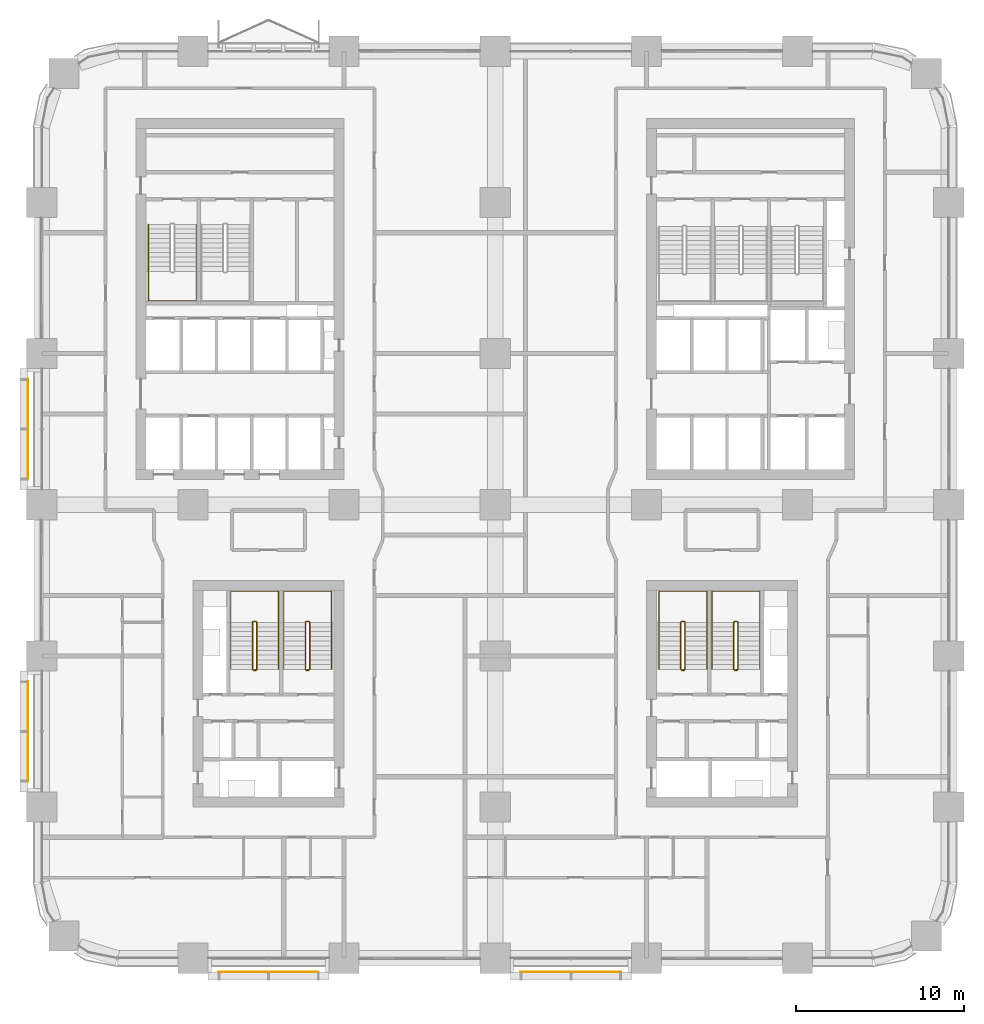
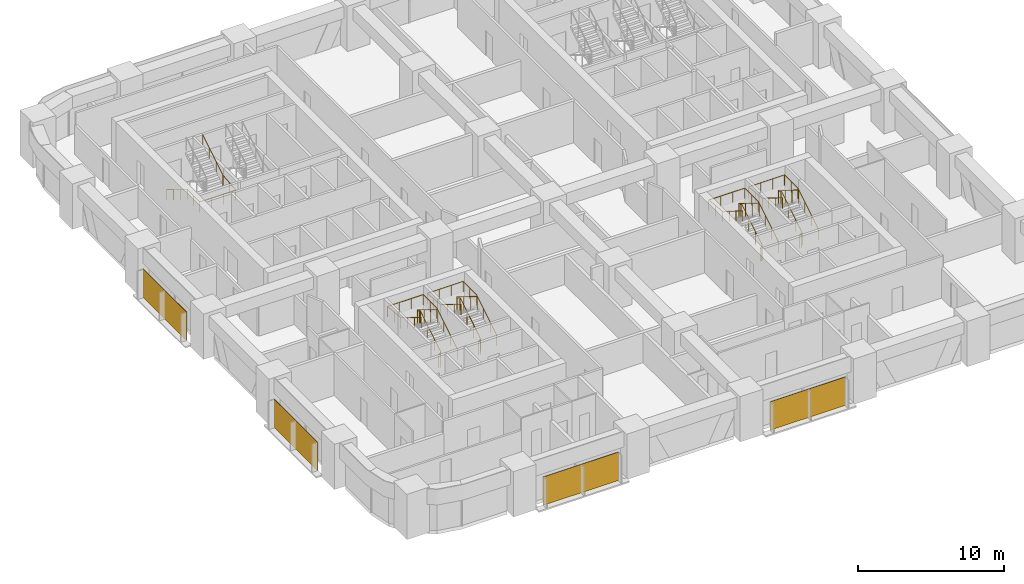
# One storey, part 21 of 23: 9 railings, 4 coverings.
"""IFC4 building model written with IfcOpenShell, lengths in metres."""

from ifc_helpers import new_model, si_unit, direction, frame, origin, origin_2d, place, context, subcontext, project, spatial, rectangle, circle, extrude, material, layer, layer_set, type_object, element, save


model = new_model("IFC4")

# Units and contexts
model_context = context("Model", 3, precision=1e-05, world=origin(), true_north=direction((0.0, 1.0)))
body_context = subcontext(model_context, "Body", "Model", "MODEL_VIEW")
ifc_project = project(units=[si_unit("LENGTHUNIT", "METRE"), si_unit("AREAUNIT", "SQUARE_METRE"), si_unit("VOLUMEUNIT", "CUBIC_METRE"), si_unit("PLANEANGLEUNIT", "RADIAN"), si_unit("MASSUNIT", "GRAM", prefix="KILO")], contexts=[model_context])

# Site, building, storey
site_placement = place(None, origin())
site = spatial("IfcSite", under=ifc_project, at=site_placement, CompositionType="ELEMENT")
building_placement = place(site_placement, origin())
building = spatial("IfcBuilding", under=site, at=building_placement, Name="Tessera Arch", CompositionType="ELEMENT")
storey_placement = place(building_placement, frame((0.0, 0.0, 57.60009765625)))
storey = spatial("IfcBuildingStorey", under=building, at=storey_placement, Name="L12", CompositionType="ELEMENT", Elevation=57.60009765625)

# Coverings
ifc_material_1 = material(Name="Anodised aluminium pale metal", Category="aluminium")
ifc_layer = layer(ifc_material_1, 0.0400390625)
ifc_layer_set = layer_set([ifc_layer], Name="Mashrabiya screen panel")
covering_type = type_object("IfcCoveringType", Name="Mashrabiya screen panel", PredefinedType="CLADDING", material=ifc_layer_set)
for number, where, z_axis, x_axis, name in (
    (1, (13.5, -0.830078125, 0.119873046875), (0.0, 0.0, 1.0), (1.0, 0.0, 0.0), "SCREEN mashrabiya S0.0/0"),
    (2, (31.5, -0.830078125, 0.119873046875), (0.0, 0.0, 1.0), (1.0, 0.0, 0.0), "SCREEN mashrabiya S0.0/2"),
    (3, (-0.830078125, 31.5, 0.119873046875), (0.0, 0.0, 1.0), (0.0, -1.0, 0.0), "SCREEN mashrabiya W0.0/2"),
    (4, (-0.830078125, 13.5, 0.119873046875), (0.0, 0.0, 1.0), (0.0, -1.0, 0.0), "SCREEN mashrabiya W0.0/4"),
):
    element("IfcCovering", number, at=place(storey_placement, frame(where, z_axis=z_axis, x_axis=x_axis)), inside=storey, type_object=covering_type, Name=name, PredefinedType="CLADDING", context=body_context, shape_type="SweptSolid", body=[
        extrude(rectangle(XDim=6.0, YDim=0.0400390625, at=origin_2d()), origin(), (0.0, 0.0, 1.0), 2.3798828125),
    ])

# Railings
ifc_material_2 = material(Name="Painted steel balustrade", Category="steel")
railing_type_1 = type_object("IfcRailingType", Name="Stair guard 1100", PredefinedType="GUARDRAIL", material=ifc_material_2)
railing_1_placement = place(storey_placement, frame((38.25, 17.14990234375, 0.0)))
element("IfcRailing", 5, at=railing_1_placement, inside=storey, type_object=railing_type_1, Name="L12 S3a stair guard 1", PredefinedType="GUARDRAIL", context=body_context, shape_type="SweptSolid", body=[
    extrude(circle(Radius=0.02392578125, at=origin_2d()), frame((0.00390625, 0.0, 1.076171875), z_axis=(-1.0, 0.0, 0.0), x_axis=(0.0, -1.0, 0.0)), (0.0, 0.0, 1.0), 0.157958984375),
    extrude(circle(Radius=0.02392578125, at=origin_2d()), frame((-0.15283203125, -0.000732421875, 1.073486328125), z_axis=(0.743736083135, 0.18616104645, 0.642028584587), x_axis=(-0.242814311512, 0.970072785993, 0.0)), (0.0, 0.0, 1.0), 0.27685546875),
    extrude(circle(Radius=0.02392578125, at=origin_2d()), frame((0.050048828125, 0.046630859375, 1.24658203125), z_axis=(0.0, 0.851089632645, 0.525020415988), x_axis=(-1.0, 0.0, 0.0)), (0.0, 0.0, 1.0), 3.2978515625),
    extrude(circle(Radius=0.02392578125, at=origin_2d()), frame((0.052978515625, 2.84716796875, 2.97607421875), z_axis=(-0.707106781187, 0.707106781187, 0.0), x_axis=(-0.707106781187, -0.707106781187, 0.0)), (0.0, 0.0, 1.0), 0.078857421875),
    extrude(circle(Radius=0.02392578125, at=origin_2d()), frame((0.00390625, 2.900146484375, 2.97607421875), z_axis=(-1.0, 0.0, 0.0), x_axis=(0.0, -1.0, 0.0)), (0.0, 0.0, 1.0), 0.157958984375),
    extrude(circle(Radius=0.02392578125, at=origin_2d()), frame((-0.14892578125, 2.901123046875, 2.97216796875), z_axis=(-0.268277960024, -0.268277960024, 0.925231793839), x_axis=(0.707106781187, -0.707106781187, 0.0)), (0.0, 0.0, 1.0), 0.194580078125),
    extrude(circle(Radius=0.02392578125, at=origin_2d()), frame((-0.199951171875, 2.853515625, 3.146484375), z_axis=(0.0, -0.851089632645, 0.525020415988), x_axis=(1.0, 0.0, 0.0)), (0.0, 0.0, 1.0), 3.2978515625),
    extrude(circle(Radius=0.02099609375, at=origin_2d()), origin(), (0.0, 0.0, 1.0), 1.06396484375),
    extrude(circle(Radius=0.02099609375, at=origin_2d()), frame((-0.14990234375, 0.0, 0.0)), (0.0, 0.0, 1.0), 1.06396484375),
    extrude(circle(Radius=0.02099609375, at=origin_2d()), frame((0.050048828125, 0.050048828125, 0.172607421875)), (0.0, 0.0, 1.0), 1.06396484375),
    extrude(circle(Radius=0.02099609375, at=origin_2d()), frame((0.050048828125, 0.9833984375, 0.748291015625)), (0.0, 0.0, 1.0), 1.06396484375),
    extrude(circle(Radius=0.02099609375, at=origin_2d()), frame((0.050048828125, 1.916748046875, 1.32421875)), (0.0, 0.0, 1.0), 1.06396484375),
    extrude(circle(Radius=0.02099609375, at=origin_2d()), frame((0.050048828125, 2.85009765625, 1.89990234375)), (0.0, 0.0, 1.0), 1.06396484375),
    extrude(circle(Radius=0.02099609375, at=origin_2d()), frame((0.0, 2.900146484375, 1.89990234375)), (0.0, 0.0, 1.0), 1.06396484375),
    extrude(circle(Radius=0.02099609375, at=origin_2d()), frame((-0.14990234375, 2.900146484375, 1.89990234375)), (0.0, 0.0, 1.0), 1.06396484375),
    extrude(circle(Radius=0.02099609375, at=origin_2d()), frame((-0.199951171875, 2.85009765625, 2.072509765625)), (0.0, 0.0, 1.0), 1.06396484375),
    extrude(circle(Radius=0.02099609375, at=origin_2d()), frame((-0.199951171875, 1.916748046875, 2.648193359375)), (0.0, 0.0, 1.0), 1.06396484375),
    extrude(circle(Radius=0.02099609375, at=origin_2d()), frame((-0.199951171875, 0.9833984375, 3.22412109375)), (0.0, 0.0, 1.0), 1.06396484375),
    extrude(circle(Radius=0.02099609375, at=origin_2d()), frame((-0.199951171875, 0.050048828125, 3.7998046875)), (0.0, 0.0, 1.0), 1.06396484375),
])
railing_2_placement = place(storey_placement, frame((41.39990234375, 17.14990234375, 0.0)))
element("IfcRailing", 6, at=railing_2_placement, inside=storey, type_object=railing_type_1, Name="L12 S3b stair guard 1", PredefinedType="GUARDRAIL", context=body_context, shape_type="SweptSolid", body=[
    extrude(circle(Radius=0.02392578125, at=origin_2d()), frame((0.00390625, 0.0, 1.076171875), z_axis=(-1.0, 0.0, 0.0), x_axis=(0.0, -1.0, 0.0)), (0.0, 0.0, 1.0), 0.157958984375),
    extrude(circle(Radius=0.02392578125, at=origin_2d()), frame((-0.15283203125, -0.000732421875, 1.073486328125), z_axis=(0.743736083135, 0.18616104645, 0.642028584587), x_axis=(-0.242814311512, 0.970072785993, 0.0)), (0.0, 0.0, 1.0), 0.27685546875),
    extrude(circle(Radius=0.02392578125, at=origin_2d()), frame((0.050048828125, 0.046630859375, 1.24658203125), z_axis=(0.0, 0.851089632645, 0.525020415988), x_axis=(-1.0, 0.0, 0.0)), (0.0, 0.0, 1.0), 3.2978515625),
    extrude(circle(Radius=0.02392578125, at=origin_2d()), frame((0.052978515625, 2.84716796875, 2.97607421875), z_axis=(-0.707106781187, 0.707106781187, 0.0), x_axis=(-0.707106781187, -0.707106781187, 0.0)), (0.0, 0.0, 1.0), 0.078857421875),
    extrude(circle(Radius=0.02392578125, at=origin_2d()), frame((0.00390625, 2.900146484375, 2.97607421875), z_axis=(-1.0, 0.0, 0.0), x_axis=(0.0, -1.0, 0.0)), (0.0, 0.0, 1.0), 0.157958984375),
    extrude(circle(Radius=0.02392578125, at=origin_2d()), frame((-0.14892578125, 2.901123046875, 2.97216796875), z_axis=(-0.268277960024, -0.268277960024, 0.925231793839), x_axis=(0.707106781187, -0.707106781187, 0.0)), (0.0, 0.0, 1.0), 0.194580078125),
    extrude(circle(Radius=0.02392578125, at=origin_2d()), frame((-0.199951171875, 2.853515625, 3.146484375), z_axis=(0.0, -0.851089632645, 0.525020415988), x_axis=(1.0, 0.0, 0.0)), (0.0, 0.0, 1.0), 3.2978515625),
    extrude(circle(Radius=0.02099609375, at=origin_2d()), origin(), (0.0, 0.0, 1.0), 1.06396484375),
    extrude(circle(Radius=0.02099609375, at=origin_2d()), frame((-0.14990234375, 0.0, 0.0)), (0.0, 0.0, 1.0), 1.06396484375),
    extrude(circle(Radius=0.02099609375, at=origin_2d()), frame((0.050048828125, 0.050048828125, 0.172607421875)), (0.0, 0.0, 1.0), 1.06396484375),
    extrude(circle(Radius=0.02099609375, at=origin_2d()), frame((0.050048828125, 0.9833984375, 0.748291015625)), (0.0, 0.0, 1.0), 1.06396484375),
    extrude(circle(Radius=0.02099609375, at=origin_2d()), frame((0.050048828125, 1.916748046875, 1.32421875)), (0.0, 0.0, 1.0), 1.06396484375),
    extrude(circle(Radius=0.02099609375, at=origin_2d()), frame((0.050048828125, 2.85009765625, 1.89990234375)), (0.0, 0.0, 1.0), 1.06396484375),
    extrude(circle(Radius=0.02099609375, at=origin_2d()), frame((0.0, 2.900146484375, 1.89990234375)), (0.0, 0.0, 1.0), 1.06396484375),
    extrude(circle(Radius=0.02099609375, at=origin_2d()), frame((-0.14990234375, 2.900146484375, 1.89990234375)), (0.0, 0.0, 1.0), 1.06396484375),
    extrude(circle(Radius=0.02099609375, at=origin_2d()), frame((-0.199951171875, 2.85009765625, 2.072509765625)), (0.0, 0.0, 1.0), 1.06396484375),
    extrude(circle(Radius=0.02099609375, at=origin_2d()), frame((-0.199951171875, 1.916748046875, 2.648193359375)), (0.0, 0.0, 1.0), 1.06396484375),
    extrude(circle(Radius=0.02099609375, at=origin_2d()), frame((-0.199951171875, 0.9833984375, 3.22412109375)), (0.0, 0.0, 1.0), 1.06396484375),
    extrude(circle(Radius=0.02099609375, at=origin_2d()), frame((-0.199951171875, 0.050048828125, 3.7998046875)), (0.0, 0.0, 1.0), 1.06396484375),
])
railing_3_placement = place(storey_placement, frame((15.89990234375, 17.14990234375, 0.0)))
element("IfcRailing", 7, at=railing_3_placement, inside=storey, type_object=railing_type_1, Name="L12 S4a stair guard 1", PredefinedType="GUARDRAIL", context=body_context, shape_type="SweptSolid", body=[
    extrude(circle(Radius=0.02392578125, at=origin_2d()), frame((0.00390625, 0.0, 1.076171875), z_axis=(-1.0, 0.0, 0.0), x_axis=(0.0, -1.0, 0.0)), (0.0, 0.0, 1.0), 0.157958984375),
    extrude(circle(Radius=0.02392578125, at=origin_2d()), frame((-0.15283203125, -0.000732421875, 1.073486328125), z_axis=(0.743736083135, 0.18616104645, 0.642028584587), x_axis=(-0.242814311512, 0.970072785993, 0.0)), (0.0, 0.0, 1.0), 0.27685546875),
    extrude(circle(Radius=0.02392578125, at=origin_2d()), frame((0.050048828125, 0.046630859375, 1.24658203125), z_axis=(0.0, 0.851089632645, 0.525020415988), x_axis=(-1.0, 0.0, 0.0)), (0.0, 0.0, 1.0), 3.2978515625),
    extrude(circle(Radius=0.02392578125, at=origin_2d()), frame((0.052978515625, 2.84716796875, 2.97607421875), z_axis=(-0.707106781187, 0.707106781187, 0.0), x_axis=(-0.707106781187, -0.707106781187, 0.0)), (0.0, 0.0, 1.0), 0.078857421875),
    extrude(circle(Radius=0.02392578125, at=origin_2d()), frame((0.00390625, 2.900146484375, 2.97607421875), z_axis=(-1.0, 0.0, 0.0), x_axis=(0.0, -1.0, 0.0)), (0.0, 0.0, 1.0), 0.157958984375),
    extrude(circle(Radius=0.02392578125, at=origin_2d()), frame((-0.14892578125, 2.901123046875, 2.97216796875), z_axis=(-0.268277960024, -0.268277960024, 0.925231793839), x_axis=(0.707106781187, -0.707106781187, 0.0)), (0.0, 0.0, 1.0), 0.194580078125),
    extrude(circle(Radius=0.02392578125, at=origin_2d()), frame((-0.199951171875, 2.853515625, 3.146484375), z_axis=(0.0, -0.851089632645, 0.525020415988), x_axis=(1.0, 0.0, 0.0)), (0.0, 0.0, 1.0), 3.2978515625),
    extrude(circle(Radius=0.02099609375, at=origin_2d()), origin(), (0.0, 0.0, 1.0), 1.06396484375),
    extrude(circle(Radius=0.02099609375, at=origin_2d()), frame((-0.14990234375, 0.0, 0.0)), (0.0, 0.0, 1.0), 1.06396484375),
    extrude(circle(Radius=0.02099609375, at=origin_2d()), frame((0.050048828125, 0.050048828125, 0.172607421875)), (0.0, 0.0, 1.0), 1.06396484375),
    extrude(circle(Radius=0.02099609375, at=origin_2d()), frame((0.050048828125, 0.9833984375, 0.748291015625)), (0.0, 0.0, 1.0), 1.06396484375),
    extrude(circle(Radius=0.02099609375, at=origin_2d()), frame((0.050048828125, 1.916748046875, 1.32421875)), (0.0, 0.0, 1.0), 1.06396484375),
    extrude(circle(Radius=0.02099609375, at=origin_2d()), frame((0.050048828125, 2.85009765625, 1.89990234375)), (0.0, 0.0, 1.0), 1.06396484375),
    extrude(circle(Radius=0.02099609375, at=origin_2d()), frame((0.0, 2.900146484375, 1.89990234375)), (0.0, 0.0, 1.0), 1.06396484375),
    extrude(circle(Radius=0.02099609375, at=origin_2d()), frame((-0.14990234375, 2.900146484375, 1.89990234375)), (0.0, 0.0, 1.0), 1.06396484375),
    extrude(circle(Radius=0.02099609375, at=origin_2d()), frame((-0.199951171875, 2.85009765625, 2.072509765625)), (0.0, 0.0, 1.0), 1.06396484375),
    extrude(circle(Radius=0.02099609375, at=origin_2d()), frame((-0.199951171875, 1.916748046875, 2.648193359375)), (0.0, 0.0, 1.0), 1.06396484375),
    extrude(circle(Radius=0.02099609375, at=origin_2d()), frame((-0.199951171875, 0.9833984375, 3.22412109375)), (0.0, 0.0, 1.0), 1.06396484375),
    extrude(circle(Radius=0.02099609375, at=origin_2d()), frame((-0.199951171875, 0.050048828125, 3.7998046875)), (0.0, 0.0, 1.0), 1.06396484375),
])
railing_4_placement = place(storey_placement, frame((12.75, 17.14990234375, 0.0)))
element("IfcRailing", 8, at=railing_4_placement, inside=storey, type_object=railing_type_1, Name="L12 S4b stair guard 1", PredefinedType="GUARDRAIL", context=body_context, shape_type="SweptSolid", body=[
    extrude(circle(Radius=0.02392578125, at=origin_2d()), frame((0.00390625, 0.0, 1.076171875), z_axis=(-1.0, 0.0, 0.0), x_axis=(0.0, -1.0, 0.0)), (0.0, 0.0, 1.0), 0.157958984375),
    extrude(circle(Radius=0.02392578125, at=origin_2d()), frame((-0.15283203125, -0.000732421875, 1.073486328125), z_axis=(0.743736083135, 0.18616104645, 0.642028584587), x_axis=(-0.242814311512, 0.970072785993, 0.0)), (0.0, 0.0, 1.0), 0.27685546875),
    extrude(circle(Radius=0.02392578125, at=origin_2d()), frame((0.050048828125, 0.046630859375, 1.24658203125), z_axis=(0.0, 0.851089632645, 0.525020415988), x_axis=(-1.0, 0.0, 0.0)), (0.0, 0.0, 1.0), 3.2978515625),
    extrude(circle(Radius=0.02392578125, at=origin_2d()), frame((0.052978515625, 2.84716796875, 2.97607421875), z_axis=(-0.707106781187, 0.707106781187, 0.0), x_axis=(-0.707106781187, -0.707106781187, 0.0)), (0.0, 0.0, 1.0), 0.078857421875),
    extrude(circle(Radius=0.02392578125, at=origin_2d()), frame((0.00390625, 2.900146484375, 2.97607421875), z_axis=(-1.0, 0.0, 0.0), x_axis=(0.0, -1.0, 0.0)), (0.0, 0.0, 1.0), 0.157958984375),
    extrude(circle(Radius=0.02392578125, at=origin_2d()), frame((-0.14892578125, 2.901123046875, 2.97216796875), z_axis=(-0.268277960024, -0.268277960024, 0.925231793839), x_axis=(0.707106781187, -0.707106781187, 0.0)), (0.0, 0.0, 1.0), 0.194580078125),
    extrude(circle(Radius=0.02392578125, at=origin_2d()), frame((-0.199951171875, 2.853515625, 3.146484375), z_axis=(0.0, -0.851089632645, 0.525020415988), x_axis=(1.0, 0.0, 0.0)), (0.0, 0.0, 1.0), 3.2978515625),
    extrude(circle(Radius=0.02099609375, at=origin_2d()), origin(), (0.0, 0.0, 1.0), 1.06396484375),
    extrude(circle(Radius=0.02099609375, at=origin_2d()), frame((-0.14990234375, 0.0, 0.0)), (0.0, 0.0, 1.0), 1.06396484375),
    extrude(circle(Radius=0.02099609375, at=origin_2d()), frame((0.050048828125, 0.050048828125, 0.172607421875)), (0.0, 0.0, 1.0), 1.06396484375),
    extrude(circle(Radius=0.02099609375, at=origin_2d()), frame((0.050048828125, 0.9833984375, 0.748291015625)), (0.0, 0.0, 1.0), 1.06396484375),
    extrude(circle(Radius=0.02099609375, at=origin_2d()), frame((0.050048828125, 1.916748046875, 1.32421875)), (0.0, 0.0, 1.0), 1.06396484375),
    extrude(circle(Radius=0.02099609375, at=origin_2d()), frame((0.050048828125, 2.85009765625, 1.89990234375)), (0.0, 0.0, 1.0), 1.06396484375),
    extrude(circle(Radius=0.02099609375, at=origin_2d()), frame((0.0, 2.900146484375, 1.89990234375)), (0.0, 0.0, 1.0), 1.06396484375),
    extrude(circle(Radius=0.02099609375, at=origin_2d()), frame((-0.14990234375, 2.900146484375, 1.89990234375)), (0.0, 0.0, 1.0), 1.06396484375),
    extrude(circle(Radius=0.02099609375, at=origin_2d()), frame((-0.199951171875, 2.85009765625, 2.072509765625)), (0.0, 0.0, 1.0), 1.06396484375),
    extrude(circle(Radius=0.02099609375, at=origin_2d()), frame((-0.199951171875, 1.916748046875, 2.648193359375)), (0.0, 0.0, 1.0), 1.06396484375),
    extrude(circle(Radius=0.02099609375, at=origin_2d()), frame((-0.199951171875, 0.9833984375, 3.22412109375)), (0.0, 0.0, 1.0), 1.06396484375),
    extrude(circle(Radius=0.02099609375, at=origin_2d()), frame((-0.199951171875, 0.050048828125, 3.7998046875)), (0.0, 0.0, 1.0), 1.06396484375),
])
ifc_material_3 = material(Name="Painted steel handrail", Category="steel")
railing_type_2 = type_object("IfcRailingType", Name="Stair handrail 900", PredefinedType="HANDRAIL", material=ifc_material_3)
railing_5_placement = place(storey_placement, frame((6.35009765625, 43.699951171875, 0.172607421875)))
element("IfcRailing", 9, at=railing_5_placement, inside=storey, type_object=railing_type_2, Name="L12 S2a stair handrail", PredefinedType="HANDRAIL", context=body_context, shape_type="SweptSolid", body=[
    extrude(circle(Radius=0.02392578125, at=origin_2d()), frame((0.0, 0.00341796875, 0.873779296875), z_axis=(0.0, -0.851089632645, 0.525020415988), x_axis=(1.0, 0.0, 0.0)), (0.0, 0.0, 1.0), 3.2978515625),
    extrude(circle(Radius=0.02392578125, at=origin_2d()), frame((0.0, -2.796142578125, 2.60302734375), z_axis=(0.0, -1.0, 0.0), x_axis=(1.0, 0.0, 0.0)), (0.0, 0.0, 1.0), 1.758056640625),
    extrude(circle(Radius=0.02392578125, at=origin_2d()), frame((-0.00390625, -4.550048828125, 2.60302734375), z_axis=(1.0, 0.0, 0.0), x_axis=(0.0, 1.0, 0.0)), (0.0, 0.0, 1.0), 2.85791015625),
    extrude(circle(Radius=0.02392578125, at=origin_2d()), frame((2.849853515625, -4.553955078125, 2.602783203125), z_axis=(0.0, 0.995170989745, 0.098156513637), x_axis=(-1.0, 0.0, 0.0)), (0.0, 0.0, 1.0), 1.7666015625),
    extrude(circle(Radius=0.02392578125, at=origin_2d()), frame((2.849853515625, -2.803466796875, 2.773681640625), z_axis=(0.0, 0.851089632645, 0.525020415988), x_axis=(-1.0, 0.0, 0.0)), (0.0, 0.0, 1.0), 3.2978515625),
    extrude(circle(Radius=0.02099609375, at=origin_2d()), origin(), (0.0, 0.0, 1.0), 0.86376953125),
    extrude(circle(Radius=0.02099609375, at=origin_2d()), frame((0.0, -0.933349609375, 0.57568359375)), (0.0, 0.0, 1.0), 0.86376953125),
    extrude(circle(Radius=0.02099609375, at=origin_2d()), frame((0.0, -1.86669921875, 1.151611328125)), (0.0, 0.0, 1.0), 0.86376953125),
    extrude(circle(Radius=0.02099609375, at=origin_2d()), frame((0.0, -2.800048828125, 1.727294921875)), (0.0, 0.0, 1.0), 0.86376953125),
    extrude(circle(Radius=0.02099609375, at=origin_2d()), frame((0.0, -3.675048828125, 1.727294921875)), (0.0, 0.0, 1.0), 0.86376953125),
    extrude(circle(Radius=0.02099609375, at=origin_2d()), frame((0.0, -4.550048828125, 1.727294921875)), (0.0, 0.0, 1.0), 0.86376953125),
    extrude(circle(Radius=0.02099609375, at=origin_2d()), frame((0.949951171875, -4.550048828125, 1.727294921875)), (0.0, 0.0, 1.0), 0.86376953125),
    extrude(circle(Radius=0.02099609375, at=origin_2d()), frame((1.89990234375, -4.550048828125, 1.727294921875)), (0.0, 0.0, 1.0), 0.86376953125),
    extrude(circle(Radius=0.02099609375, at=origin_2d()), frame((2.849853515625, -4.550048828125, 1.727294921875)), (0.0, 0.0, 1.0), 0.86376953125),
    extrude(circle(Radius=0.02099609375, at=origin_2d()), frame((2.849853515625, -3.675048828125, 1.8134765625)), (0.0, 0.0, 1.0), 0.86376953125),
    extrude(circle(Radius=0.02099609375, at=origin_2d()), frame((2.849853515625, -2.800048828125, 1.89990234375)), (0.0, 0.0, 1.0), 0.86376953125),
    extrude(circle(Radius=0.02099609375, at=origin_2d()), frame((2.849853515625, -1.86669921875, 2.4755859375)), (0.0, 0.0, 1.0), 0.86376953125),
    extrude(circle(Radius=0.02099609375, at=origin_2d()), frame((2.849853515625, -0.933349609375, 3.051513671875)), (0.0, 0.0, 1.0), 0.86376953125),
    extrude(circle(Radius=0.02099609375, at=origin_2d()), frame((2.849853515625, 0.0, 3.627197265625)), (0.0, 0.0, 1.0), 0.86376953125),
])
railing_6_placement = place(storey_placement, frame((39.60009765625, 17.199951171875, 0.172607421875)))
element("IfcRailing", 10, at=railing_6_placement, inside=storey, type_object=railing_type_2, Name="L12 S3a stair handrail", PredefinedType="HANDRAIL", context=body_context, shape_type="SweptSolid", body=[
    extrude(circle(Radius=0.02392578125, at=origin_2d()), frame((0.0, -0.00341796875, 0.873779296875), z_axis=(0.0, 0.851089632645, 0.525020415988), x_axis=(-1.0, 0.0, 0.0)), (0.0, 0.0, 1.0), 3.2978515625),
    extrude(circle(Radius=0.02392578125, at=origin_2d()), frame((0.0, 2.796142578125, 2.60302734375), z_axis=(0.0, 1.0, 0.0), x_axis=(-1.0, 0.0, 0.0)), (0.0, 0.0, 1.0), 1.858154296875),
    extrude(circle(Radius=0.02392578125, at=origin_2d()), frame((0.00390625, 4.650146484375, 2.60302734375), z_axis=(-1.0, 0.0, 0.0), x_axis=(0.0, -1.0, 0.0)), (0.0, 0.0, 1.0), 2.858154296875),
    extrude(circle(Radius=0.02392578125, at=origin_2d()), frame((-2.85009765625, 4.654052734375, 2.602783203125), z_axis=(0.0, -0.995676099079, 0.092892979948), x_axis=(1.0, 0.0, 0.0)), (0.0, 0.0, 1.0), 1.8662109375),
    extrude(circle(Radius=0.02392578125, at=origin_2d()), frame((-2.85009765625, 2.803466796875, 2.773681640625), z_axis=(0.0, -0.851089632645, 0.525020415988), x_axis=(1.0, 0.0, 0.0)), (0.0, 0.0, 1.0), 3.2978515625),
    extrude(circle(Radius=0.02099609375, at=origin_2d()), origin(), (0.0, 0.0, 1.0), 0.86376953125),
    extrude(circle(Radius=0.02099609375, at=origin_2d()), frame((0.0, 0.933349609375, 0.57568359375)), (0.0, 0.0, 1.0), 0.86376953125),
    extrude(circle(Radius=0.02099609375, at=origin_2d()), frame((0.0, 1.86669921875, 1.151611328125)), (0.0, 0.0, 1.0), 0.86376953125),
    extrude(circle(Radius=0.02099609375, at=origin_2d()), frame((0.0, 2.800048828125, 1.727294921875)), (0.0, 0.0, 1.0), 0.86376953125),
    extrude(circle(Radius=0.02099609375, at=origin_2d()), frame((0.0, 3.72509765625, 1.727294921875)), (0.0, 0.0, 1.0), 0.86376953125),
    extrude(circle(Radius=0.02099609375, at=origin_2d()), frame((0.0, 4.650146484375, 1.727294921875)), (0.0, 0.0, 1.0), 0.86376953125),
    extrude(circle(Radius=0.02099609375, at=origin_2d()), frame((-0.949951171875, 4.650146484375, 1.727294921875)), (0.0, 0.0, 1.0), 0.86376953125),
    extrude(circle(Radius=0.02099609375, at=origin_2d()), frame((-1.900146484375, 4.650146484375, 1.727294921875)), (0.0, 0.0, 1.0), 0.86376953125),
    extrude(circle(Radius=0.02099609375, at=origin_2d()), frame((-2.85009765625, 4.650146484375, 1.727294921875)), (0.0, 0.0, 1.0), 0.86376953125),
    extrude(circle(Radius=0.02099609375, at=origin_2d()), frame((-2.85009765625, 3.72509765625, 1.8134765625)), (0.0, 0.0, 1.0), 0.86376953125),
    extrude(circle(Radius=0.02099609375, at=origin_2d()), frame((-2.85009765625, 2.800048828125, 1.89990234375)), (0.0, 0.0, 1.0), 0.86376953125),
    extrude(circle(Radius=0.02099609375, at=origin_2d()), frame((-2.85009765625, 1.86669921875, 2.4755859375)), (0.0, 0.0, 1.0), 0.86376953125),
    extrude(circle(Radius=0.02099609375, at=origin_2d()), frame((-2.85009765625, 0.933349609375, 3.051513671875)), (0.0, 0.0, 1.0), 0.86376953125),
    extrude(circle(Radius=0.02099609375, at=origin_2d()), frame((-2.85009765625, 0.0, 3.627197265625)), (0.0, 0.0, 1.0), 0.86376953125),
])
railing_7_placement = place(storey_placement, frame((42.75, 17.199951171875, 0.172607421875)))
element("IfcRailing", 11, at=railing_7_placement, inside=storey, type_object=railing_type_2, Name="L12 S3b stair handrail", PredefinedType="HANDRAIL", context=body_context, shape_type="SweptSolid", body=[
    extrude(circle(Radius=0.02392578125, at=origin_2d()), frame((0.0, -0.00341796875, 0.873779296875), z_axis=(0.0, 0.851089632645, 0.525020415988), x_axis=(-1.0, 0.0, 0.0)), (0.0, 0.0, 1.0), 3.2978515625),
    extrude(circle(Radius=0.02392578125, at=origin_2d()), frame((0.0, 2.796142578125, 2.60302734375), z_axis=(0.0, 1.0, 0.0), x_axis=(-1.0, 0.0, 0.0)), (0.0, 0.0, 1.0), 1.858154296875),
    extrude(circle(Radius=0.02392578125, at=origin_2d()), frame((0.00390625, 4.650146484375, 2.60302734375), z_axis=(-1.0, 0.0, 0.0), x_axis=(0.0, -1.0, 0.0)), (0.0, 0.0, 1.0), 2.858154296875),
    extrude(circle(Radius=0.02392578125, at=origin_2d()), frame((-2.85009765625, 4.654052734375, 2.602783203125), z_axis=(0.0, -0.995676099079, 0.092892979948), x_axis=(1.0, 0.0, 0.0)), (0.0, 0.0, 1.0), 1.8662109375),
    extrude(circle(Radius=0.02392578125, at=origin_2d()), frame((-2.85009765625, 2.803466796875, 2.773681640625), z_axis=(0.0, -0.851089632645, 0.525020415988), x_axis=(1.0, 0.0, 0.0)), (0.0, 0.0, 1.0), 3.2978515625),
    extrude(circle(Radius=0.02099609375, at=origin_2d()), origin(), (0.0, 0.0, 1.0), 0.86376953125),
    extrude(circle(Radius=0.02099609375, at=origin_2d()), frame((0.0, 0.933349609375, 0.57568359375)), (0.0, 0.0, 1.0), 0.86376953125),
    extrude(circle(Radius=0.02099609375, at=origin_2d()), frame((0.0, 1.86669921875, 1.151611328125)), (0.0, 0.0, 1.0), 0.86376953125),
    extrude(circle(Radius=0.02099609375, at=origin_2d()), frame((0.0, 2.800048828125, 1.727294921875)), (0.0, 0.0, 1.0), 0.86376953125),
    extrude(circle(Radius=0.02099609375, at=origin_2d()), frame((0.0, 3.72509765625, 1.727294921875)), (0.0, 0.0, 1.0), 0.86376953125),
    extrude(circle(Radius=0.02099609375, at=origin_2d()), frame((0.0, 4.650146484375, 1.727294921875)), (0.0, 0.0, 1.0), 0.86376953125),
    extrude(circle(Radius=0.02099609375, at=origin_2d()), frame((-0.949951171875, 4.650146484375, 1.727294921875)), (0.0, 0.0, 1.0), 0.86376953125),
    extrude(circle(Radius=0.02099609375, at=origin_2d()), frame((-1.900146484375, 4.650146484375, 1.727294921875)), (0.0, 0.0, 1.0), 0.86376953125),
    extrude(circle(Radius=0.02099609375, at=origin_2d()), frame((-2.85009765625, 4.650146484375, 1.727294921875)), (0.0, 0.0, 1.0), 0.86376953125),
    extrude(circle(Radius=0.02099609375, at=origin_2d()), frame((-2.85009765625, 3.72509765625, 1.8134765625)), (0.0, 0.0, 1.0), 0.86376953125),
    extrude(circle(Radius=0.02099609375, at=origin_2d()), frame((-2.85009765625, 2.800048828125, 1.89990234375)), (0.0, 0.0, 1.0), 0.86376953125),
    extrude(circle(Radius=0.02099609375, at=origin_2d()), frame((-2.85009765625, 1.86669921875, 2.4755859375)), (0.0, 0.0, 1.0), 0.86376953125),
    extrude(circle(Radius=0.02099609375, at=origin_2d()), frame((-2.85009765625, 0.933349609375, 3.051513671875)), (0.0, 0.0, 1.0), 0.86376953125),
    extrude(circle(Radius=0.02099609375, at=origin_2d()), frame((-2.85009765625, 0.0, 3.627197265625)), (0.0, 0.0, 1.0), 0.86376953125),
])
railing_8_placement = place(storey_placement, frame((17.25, 17.199951171875, 0.172607421875)))
element("IfcRailing", 12, at=railing_8_placement, inside=storey, type_object=railing_type_2, Name="L12 S4a stair handrail", PredefinedType="HANDRAIL", context=body_context, shape_type="SweptSolid", body=[
    extrude(circle(Radius=0.02392578125, at=origin_2d()), frame((0.0, -0.00341796875, 0.873779296875), z_axis=(0.0, 0.851089632645, 0.525020415988), x_axis=(-1.0, 0.0, 0.0)), (0.0, 0.0, 1.0), 3.2978515625),
    extrude(circle(Radius=0.02392578125, at=origin_2d()), frame((0.0, 2.796142578125, 2.60302734375), z_axis=(0.0, 1.0, 0.0), x_axis=(-1.0, 0.0, 0.0)), (0.0, 0.0, 1.0), 1.858154296875),
    extrude(circle(Radius=0.02392578125, at=origin_2d()), frame((0.00390625, 4.650146484375, 2.60302734375), z_axis=(-1.0, 0.0, 0.0), x_axis=(0.0, -1.0, 0.0)), (0.0, 0.0, 1.0), 2.858154296875),
    extrude(circle(Radius=0.02392578125, at=origin_2d()), frame((-2.85009765625, 4.654052734375, 2.602783203125), z_axis=(0.0, -0.995676099079, 0.092892979948), x_axis=(1.0, 0.0, 0.0)), (0.0, 0.0, 1.0), 1.8662109375),
    extrude(circle(Radius=0.02392578125, at=origin_2d()), frame((-2.85009765625, 2.803466796875, 2.773681640625), z_axis=(0.0, -0.851089632645, 0.525020415988), x_axis=(1.0, 0.0, 0.0)), (0.0, 0.0, 1.0), 3.2978515625),
    extrude(circle(Radius=0.02099609375, at=origin_2d()), origin(), (0.0, 0.0, 1.0), 0.86376953125),
    extrude(circle(Radius=0.02099609375, at=origin_2d()), frame((0.0, 0.933349609375, 0.57568359375)), (0.0, 0.0, 1.0), 0.86376953125),
    extrude(circle(Radius=0.02099609375, at=origin_2d()), frame((0.0, 1.86669921875, 1.151611328125)), (0.0, 0.0, 1.0), 0.86376953125),
    extrude(circle(Radius=0.02099609375, at=origin_2d()), frame((0.0, 2.800048828125, 1.727294921875)), (0.0, 0.0, 1.0), 0.86376953125),
    extrude(circle(Radius=0.02099609375, at=origin_2d()), frame((0.0, 3.72509765625, 1.727294921875)), (0.0, 0.0, 1.0), 0.86376953125),
    extrude(circle(Radius=0.02099609375, at=origin_2d()), frame((0.0, 4.650146484375, 1.727294921875)), (0.0, 0.0, 1.0), 0.86376953125),
    extrude(circle(Radius=0.02099609375, at=origin_2d()), frame((-0.949951171875, 4.650146484375, 1.727294921875)), (0.0, 0.0, 1.0), 0.86376953125),
    extrude(circle(Radius=0.02099609375, at=origin_2d()), frame((-1.900146484375, 4.650146484375, 1.727294921875)), (0.0, 0.0, 1.0), 0.86376953125),
    extrude(circle(Radius=0.02099609375, at=origin_2d()), frame((-2.85009765625, 4.650146484375, 1.727294921875)), (0.0, 0.0, 1.0), 0.86376953125),
    extrude(circle(Radius=0.02099609375, at=origin_2d()), frame((-2.85009765625, 3.72509765625, 1.8134765625)), (0.0, 0.0, 1.0), 0.86376953125),
    extrude(circle(Radius=0.02099609375, at=origin_2d()), frame((-2.85009765625, 2.800048828125, 1.89990234375)), (0.0, 0.0, 1.0), 0.86376953125),
    extrude(circle(Radius=0.02099609375, at=origin_2d()), frame((-2.85009765625, 1.86669921875, 2.4755859375)), (0.0, 0.0, 1.0), 0.86376953125),
    extrude(circle(Radius=0.02099609375, at=origin_2d()), frame((-2.85009765625, 0.933349609375, 3.051513671875)), (0.0, 0.0, 1.0), 0.86376953125),
    extrude(circle(Radius=0.02099609375, at=origin_2d()), frame((-2.85009765625, 0.0, 3.627197265625)), (0.0, 0.0, 1.0), 0.86376953125),
])
railing_9_placement = place(storey_placement, frame((14.10009765625, 17.199951171875, 0.172607421875)))
element("IfcRailing", 13, at=railing_9_placement, inside=storey, type_object=railing_type_2, Name="L12 S4b stair handrail", PredefinedType="HANDRAIL", context=body_context, shape_type="SweptSolid", body=[
    extrude(circle(Radius=0.02392578125, at=origin_2d()), frame((0.0, -0.00341796875, 0.873779296875), z_axis=(0.0, 0.851089632645, 0.525020415988), x_axis=(-1.0, 0.0, 0.0)), (0.0, 0.0, 1.0), 3.2978515625),
    extrude(circle(Radius=0.02392578125, at=origin_2d()), frame((0.0, 2.796142578125, 2.60302734375), z_axis=(0.0, 1.0, 0.0), x_axis=(-1.0, 0.0, 0.0)), (0.0, 0.0, 1.0), 1.858154296875),
    extrude(circle(Radius=0.02392578125, at=origin_2d()), frame((0.00390625, 4.650146484375, 2.60302734375), z_axis=(-1.0, 0.0, 0.0), x_axis=(0.0, -1.0, 0.0)), (0.0, 0.0, 1.0), 2.858154296875),
    extrude(circle(Radius=0.02392578125, at=origin_2d()), frame((-2.85009765625, 4.654052734375, 2.602783203125), z_axis=(0.0, -0.995676099079, 0.092892979948), x_axis=(1.0, 0.0, 0.0)), (0.0, 0.0, 1.0), 1.8662109375),
    extrude(circle(Radius=0.02392578125, at=origin_2d()), frame((-2.85009765625, 2.803466796875, 2.773681640625), z_axis=(0.0, -0.851089632645, 0.525020415988), x_axis=(1.0, 0.0, 0.0)), (0.0, 0.0, 1.0), 3.2978515625),
    extrude(circle(Radius=0.02099609375, at=origin_2d()), origin(), (0.0, 0.0, 1.0), 0.86376953125),
    extrude(circle(Radius=0.02099609375, at=origin_2d()), frame((0.0, 0.933349609375, 0.57568359375)), (0.0, 0.0, 1.0), 0.86376953125),
    extrude(circle(Radius=0.02099609375, at=origin_2d()), frame((0.0, 1.86669921875, 1.151611328125)), (0.0, 0.0, 1.0), 0.86376953125),
    extrude(circle(Radius=0.02099609375, at=origin_2d()), frame((0.0, 2.800048828125, 1.727294921875)), (0.0, 0.0, 1.0), 0.86376953125),
    extrude(circle(Radius=0.02099609375, at=origin_2d()), frame((0.0, 3.72509765625, 1.727294921875)), (0.0, 0.0, 1.0), 0.86376953125),
    extrude(circle(Radius=0.02099609375, at=origin_2d()), frame((0.0, 4.650146484375, 1.727294921875)), (0.0, 0.0, 1.0), 0.86376953125),
    extrude(circle(Radius=0.02099609375, at=origin_2d()), frame((-0.949951171875, 4.650146484375, 1.727294921875)), (0.0, 0.0, 1.0), 0.86376953125),
    extrude(circle(Radius=0.02099609375, at=origin_2d()), frame((-1.900146484375, 4.650146484375, 1.727294921875)), (0.0, 0.0, 1.0), 0.86376953125),
    extrude(circle(Radius=0.02099609375, at=origin_2d()), frame((-2.85009765625, 4.650146484375, 1.727294921875)), (0.0, 0.0, 1.0), 0.86376953125),
    extrude(circle(Radius=0.02099609375, at=origin_2d()), frame((-2.85009765625, 3.72509765625, 1.8134765625)), (0.0, 0.0, 1.0), 0.86376953125),
    extrude(circle(Radius=0.02099609375, at=origin_2d()), frame((-2.85009765625, 2.800048828125, 1.89990234375)), (0.0, 0.0, 1.0), 0.86376953125),
    extrude(circle(Radius=0.02099609375, at=origin_2d()), frame((-2.85009765625, 1.86669921875, 2.4755859375)), (0.0, 0.0, 1.0), 0.86376953125),
    extrude(circle(Radius=0.02099609375, at=origin_2d()), frame((-2.85009765625, 0.933349609375, 3.051513671875)), (0.0, 0.0, 1.0), 0.86376953125),
    extrude(circle(Radius=0.02099609375, at=origin_2d()), frame((-2.85009765625, 0.0, 3.627197265625)), (0.0, 0.0, 1.0), 0.86376953125),
])

save(model, "model.ifc")
